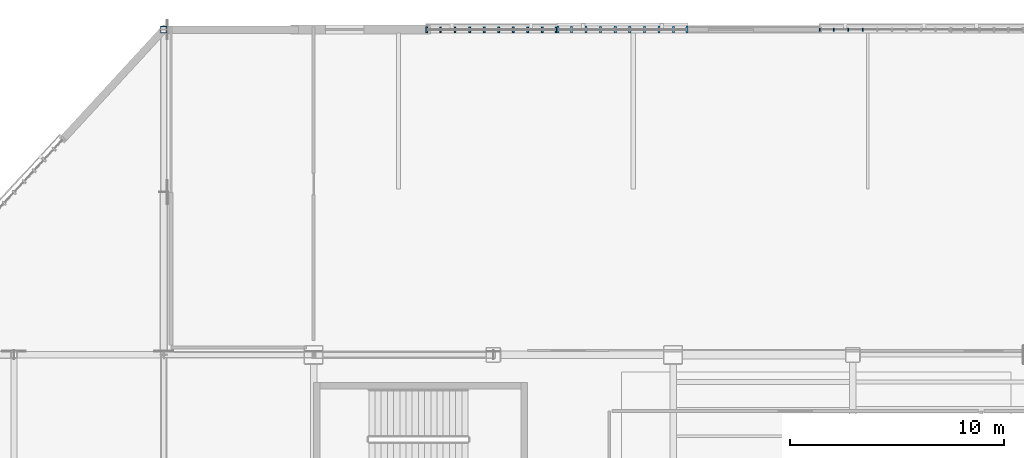
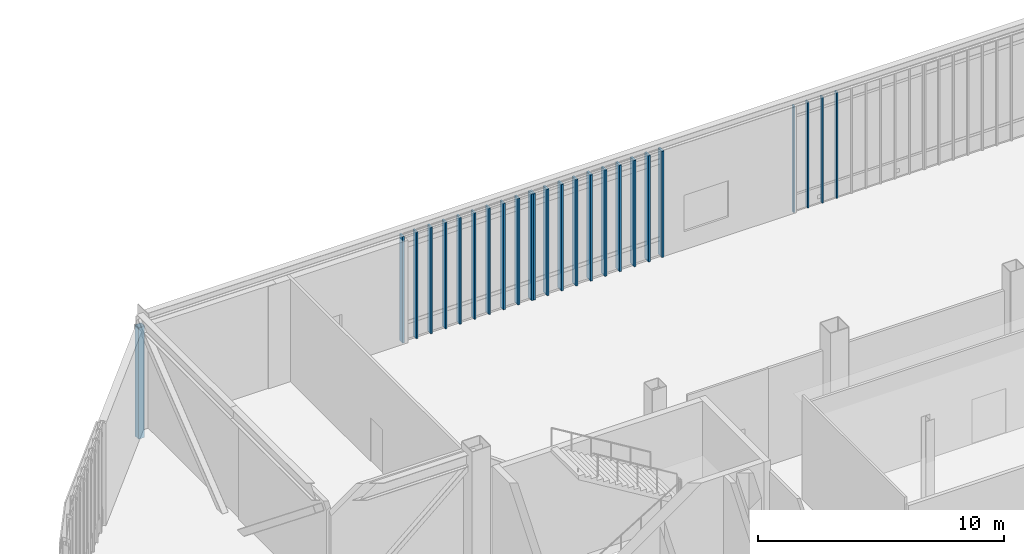
# One storey, part 30 of 135: 25 members, 3 elements without a shape of their own.
"""IFC4 building model written with IfcOpenShell, lengths in metres."""

from ifc_helpers import new_model, si_unit, direction, frame, origin, origin_2d, place, context, subcontext, project, spatial, rectangle, hollow_rectangle, extrude, material, material_profile, profile_set, type_object, element, aggregate, save


model = new_model("IFC4")

# Units and contexts
model_context = context("Model", 3, precision=1e-05, world=origin(), true_north=direction((0.0, 1.0)))
body_context = subcontext(model_context, "Body", "Model", "MODEL_VIEW")
ifc_project = project(units=[si_unit("LENGTHUNIT", "METRE"), si_unit("AREAUNIT", "SQUARE_METRE"), si_unit("VOLUMEUNIT", "CUBIC_METRE"), si_unit("PLANEANGLEUNIT", "RADIAN"), si_unit("MASSUNIT", "GRAM", prefix="KILO")], contexts=[model_context])

# Site, building, storey
site_placement = place(None, origin())
site = spatial("IfcSite", under=ifc_project, at=site_placement, CompositionType="ELEMENT")
building_placement = place(site_placement, origin())
building = spatial("IfcBuilding", under=site, at=building_placement, Name="Larkvane Passage Sports Hall", CompositionType="ELEMENT")
storey_placement = place(building_placement, frame((0.0, 0.0, 10.800048828125)))
storey = spatial("IfcBuildingStorey", under=building, at=storey_placement, Name="L02", CompositionType="ELEMENT", Elevation=10.800048828125)

# Curtain wall, members
ifc_material_1 = material(Name="Thermally broken aluminium and low-E glazing", Category="aluminium")
curtain_wall_type_1 = type_object("IfcCurtainWallType", Name="CW-CLINIC", PredefinedType="USERDEFINED", material=ifc_material_1)
curtain_wall_1_placement = place(storey_placement, origin())
curtain_wall_1 = element("IfcCurtainWall", 1, at=curtain_wall_1_placement, inside=storey, type_object=curtain_wall_type_1, Name="Curtain wall CW5-L02-099", ObjectType="UNITISED CURTAIN WALL", PredefinedType="USERDEFINED")
ifc_material_2 = material(Name="Anodised aluminium 6063-T6", Category="aluminium")
ifc_material_profile_1 = material_profile(ifc_material_2, rectangle(XDim=0.10009765625, YDim=0.320068359375, at=origin_2d()), Name="ALU-MUL-100x320")
ifc_profile_set_1 = profile_set([ifc_material_profile_1], Name="Anodised aluminium 6063-T6")
member_type_1 = type_object("IfcMemberType", Name="CW-MUL-100x320", PredefinedType="MULLION", material=ifc_profile_set_1)
member_1_placement = place(storey_placement, frame((46.22509765625, 106.800048828125, 0.0), z_axis=(0.0, 0.0, 1.0), x_axis=(1.0, 0.0, 0.0)))
member_1 = element("IfcMember", 2, at=member_1_placement, type_object=member_type_1, Name="CW-05 mullion 1", PredefinedType="MULLION", context=body_context, shape_type="SweptSolid", body=[
    extrude(rectangle(XDim=0.10009765625, YDim=0.320068359375, at=origin_2d()), origin(), (0.0, 0.0, 1.0), 5.26806640625),
])
member_2_placement = place(storey_placement, frame((46.85546875, 106.800048828125, 0.0), z_axis=(0.0, 0.0, 1.0), x_axis=(1.0, 0.0, 0.0)))
member_2 = element("IfcMember", 3, at=member_2_placement, type_object=member_type_1, Name="CW-05 mullion 2", PredefinedType="MULLION", context=body_context, shape_type="SweptSolid", body=[
    extrude(rectangle(XDim=0.10009765625, YDim=0.320068359375, at=origin_2d()), origin(), (0.0, 0.0, 1.0), 5.26806640625),
])
member_3_placement = place(storey_placement, frame((47.5361328125, 106.800048828125, 0.0), z_axis=(0.0, 0.0, 1.0), x_axis=(1.0, 0.0, 0.0)))
member_3 = element("IfcMember", 4, at=member_3_placement, type_object=member_type_1, Name="CW-05 mullion 3", PredefinedType="MULLION", context=body_context, shape_type="SweptSolid", body=[
    extrude(rectangle(XDim=0.10009765625, YDim=0.320068359375, at=origin_2d()), origin(), (0.0, 0.0, 1.0), 5.26806640625),
])
member_4_placement = place(storey_placement, frame((48.216552734375, 106.800048828125, 0.0), z_axis=(0.0, 0.0, 1.0), x_axis=(1.0, 0.0, 0.0)))
member_4 = element("IfcMember", 5, at=member_4_placement, type_object=member_type_1, Name="CW-05 mullion 4", PredefinedType="MULLION", context=body_context, shape_type="SweptSolid", body=[
    extrude(rectangle(XDim=0.10009765625, YDim=0.320068359375, at=origin_2d()), origin(), (0.0, 0.0, 1.0), 5.26806640625),
])
member_5_placement = place(storey_placement, frame((48.897216796875, 106.800048828125, 0.0), z_axis=(0.0, 0.0, 1.0), x_axis=(1.0, 0.0, 0.0)))
member_5 = element("IfcMember", 6, at=member_5_placement, type_object=member_type_1, Name="CW-05 mullion 5", PredefinedType="MULLION", context=body_context, shape_type="SweptSolid", body=[
    extrude(rectangle(XDim=0.10009765625, YDim=0.320068359375, at=origin_2d()), origin(), (0.0, 0.0, 1.0), 5.26806640625),
])
member_6_placement = place(storey_placement, frame((49.577880859375, 106.800048828125, 0.0), z_axis=(0.0, 0.0, 1.0), x_axis=(1.0, 0.0, 0.0)))
member_6 = element("IfcMember", 7, at=member_6_placement, type_object=member_type_1, Name="CW-05 mullion 6", PredefinedType="MULLION", context=body_context, shape_type="SweptSolid", body=[
    extrude(rectangle(XDim=0.10009765625, YDim=0.320068359375, at=origin_2d()), origin(), (0.0, 0.0, 1.0), 5.26806640625),
])
member_7_placement = place(storey_placement, frame((50.25830078125, 106.800048828125, 0.0), z_axis=(0.0, 0.0, 1.0), x_axis=(1.0, 0.0, 0.0)))
member_7 = element("IfcMember", 8, at=member_7_placement, type_object=member_type_1, Name="CW-05 mullion 7", PredefinedType="MULLION", context=body_context, shape_type="SweptSolid", body=[
    extrude(rectangle(XDim=0.10009765625, YDim=0.320068359375, at=origin_2d()), origin(), (0.0, 0.0, 1.0), 5.26806640625),
])
member_8_placement = place(storey_placement, frame((50.93896484375, 106.800048828125, 0.0), z_axis=(0.0, 0.0, 1.0), x_axis=(1.0, 0.0, 0.0)))
member_8 = element("IfcMember", 9, at=member_8_placement, type_object=member_type_1, Name="CW-05 mullion 8", PredefinedType="MULLION", context=body_context, shape_type="SweptSolid", body=[
    extrude(rectangle(XDim=0.10009765625, YDim=0.320068359375, at=origin_2d()), origin(), (0.0, 0.0, 1.0), 5.26806640625),
])
member_9_placement = place(storey_placement, frame((51.619384765625, 106.800048828125, 0.0), z_axis=(0.0, 0.0, 1.0), x_axis=(1.0, 0.0, 0.0)))
member_9 = element("IfcMember", 10, at=member_9_placement, type_object=member_type_1, Name="CW-05 mullion 9", PredefinedType="MULLION", context=body_context, shape_type="SweptSolid", body=[
    extrude(rectangle(XDim=0.10009765625, YDim=0.320068359375, at=origin_2d()), origin(), (0.0, 0.0, 1.0), 5.26806640625),
])
member_10_placement = place(storey_placement, frame((52.25, 106.800048828125, 0.0), z_axis=(0.0, 0.0, 1.0), x_axis=(1.0, 0.0, 0.0)))
member_10 = element("IfcMember", 11, at=member_10_placement, type_object=member_type_1, Name="CW-05 mullion 10", PredefinedType="MULLION", context=body_context, shape_type="SweptSolid", body=[
    extrude(rectangle(XDim=0.10009765625, YDim=0.320068359375, at=origin_2d()), origin(), (0.0, 0.0, 1.0), 5.26806640625),
])
aggregate(curtain_wall_1, [member_1, member_2, member_3, member_4, member_5, member_6, member_7, member_8, member_9, member_10])

curtain_wall_type_2 = type_object("IfcCurtainWallType", Name="CW-UNIT-COURT", PredefinedType="USERDEFINED", material=ifc_material_1)
curtain_wall_2_placement = place(storey_placement, origin())
curtain_wall_2 = element("IfcCurtainWall", 12, at=curtain_wall_2_placement, inside=storey, type_object=curtain_wall_type_2, Name="Curtain wall CW5-L02-100", ObjectType="UNITISED CURTAIN WALL", PredefinedType="USERDEFINED")
ifc_material_profile_2 = material_profile(ifc_material_2, rectangle(XDim=0.06005859375, YDim=0.14990234375, at=origin_2d()), Name="ALU-MUL-60x150")
ifc_profile_set_2 = profile_set([ifc_material_profile_2], Name="Anodised aluminium 6063-T6")
member_type_2 = type_object("IfcMemberType", Name="CW-MUL-60x150", PredefinedType="MULLION", material=ifc_profile_set_2)
member_11_placement = place(storey_placement, frame((58.455078125, 106.800048828125, 0.0), z_axis=(0.0, 0.0, 1.0), x_axis=(1.0, 0.0, 0.0)))
member_11 = element("IfcMember", 13, at=member_11_placement, type_object=member_type_2, Name="CW-01 mullion 1", PredefinedType="MULLION", context=body_context, shape_type="SweptSolid", body=[
    extrude(rectangle(XDim=0.06005859375, YDim=0.14990234375, at=origin_2d()), origin(), (0.0, 0.0, 1.0), 5.27783203125),
])
member_12_placement = place(storey_placement, frame((59.10546875, 106.800048828125, 0.0), z_axis=(0.0, 0.0, 1.0), x_axis=(1.0, 0.0, 0.0)))
member_12 = element("IfcMember", 14, at=member_12_placement, type_object=member_type_2, Name="CW-01 mullion 2", PredefinedType="MULLION", context=body_context, shape_type="SweptSolid", body=[
    extrude(rectangle(XDim=0.06005859375, YDim=0.14990234375, at=origin_2d()), origin(), (0.0, 0.0, 1.0), 5.27783203125),
])
member_13_placement = place(storey_placement, frame((59.7861328125, 106.800048828125, 0.0), z_axis=(0.0, 0.0, 1.0), x_axis=(1.0, 0.0, 0.0)))
member_13 = element("IfcMember", 15, at=member_13_placement, type_object=member_type_2, Name="CW-01 mullion 3", PredefinedType="MULLION", context=body_context, shape_type="SweptSolid", body=[
    extrude(rectangle(XDim=0.06005859375, YDim=0.14990234375, at=origin_2d()), origin(), (0.0, 0.0, 1.0), 5.27783203125),
])
member_14_placement = place(storey_placement, frame((60.466552734375, 106.800048828125, 0.0), z_axis=(0.0, 0.0, 1.0), x_axis=(1.0, 0.0, 0.0)))
member_14 = element("IfcMember", 16, at=member_14_placement, type_object=member_type_2, Name="CW-01 mullion 4", PredefinedType="MULLION", context=body_context, shape_type="SweptSolid", body=[
    extrude(rectangle(XDim=0.06005859375, YDim=0.14990234375, at=origin_2d()), origin(), (0.0, 0.0, 1.0), 5.27783203125),
])
aggregate(curtain_wall_2, [member_11, member_12, member_13, member_14])

curtain_wall_type_3 = type_object("IfcCurtainWallType", Name="CW-STICK-FOYER", PredefinedType="USERDEFINED", material=ifc_material_1)
curtain_wall_3_placement = place(storey_placement, origin())
curtain_wall_3 = element("IfcCurtainWall", 17, at=curtain_wall_3_placement, inside=storey, type_object=curtain_wall_type_3, Name="Curtain wall CW5-L02-098", ObjectType="STICK CURTAIN WALL", PredefinedType="USERDEFINED")
ifc_material_profile_3 = material_profile(ifc_material_2, rectangle(XDim=0.090087890625, YDim=0.280029296875, at=origin_2d()), Name="ALU-MUL-90x280")
ifc_profile_set_3 = profile_set([ifc_material_profile_3], Name="Anodised aluminium 6063-T6")
member_type_3 = type_object("IfcMemberType", Name="CW-MUL-90x280", PredefinedType="MULLION", material=ifc_profile_set_3)
member_15_placement = place(storey_placement, frame((40.094970703125, 106.800048828125, 0.0), z_axis=(0.0, 0.0, 1.0), x_axis=(1.0, 0.0, 0.0)))
member_15 = element("IfcMember", 18, at=member_15_placement, type_object=member_type_3, Name="CW-03 mullion 1", PredefinedType="MULLION", context=body_context, shape_type="SweptSolid", body=[
    extrude(rectangle(XDim=0.090087890625, YDim=0.280029296875, at=origin_2d()), origin(), (0.0, 0.0, 1.0), 5.27783203125),
])
member_16_placement = place(storey_placement, frame((40.73046875, 106.800048828125, 0.0), z_axis=(0.0, 0.0, 1.0), x_axis=(1.0, 0.0, 0.0)))
member_16 = element("IfcMember", 19, at=member_16_placement, type_object=member_type_3, Name="CW-03 mullion 2", PredefinedType="MULLION", context=body_context, shape_type="SweptSolid", body=[
    extrude(rectangle(XDim=0.090087890625, YDim=0.280029296875, at=origin_2d()), origin(), (0.0, 0.0, 1.0), 5.27783203125),
])
member_17_placement = place(storey_placement, frame((41.4111328125, 106.800048828125, 0.0), z_axis=(0.0, 0.0, 1.0), x_axis=(1.0, 0.0, 0.0)))
member_17 = element("IfcMember", 20, at=member_17_placement, type_object=member_type_3, Name="CW-03 mullion 3", PredefinedType="MULLION", context=body_context, shape_type="SweptSolid", body=[
    extrude(rectangle(XDim=0.090087890625, YDim=0.280029296875, at=origin_2d()), origin(), (0.0, 0.0, 1.0), 5.27783203125),
])
member_18_placement = place(storey_placement, frame((42.091552734375, 106.800048828125, 0.0), z_axis=(0.0, 0.0, 1.0), x_axis=(1.0, 0.0, 0.0)))
member_18 = element("IfcMember", 21, at=member_18_placement, type_object=member_type_3, Name="CW-03 mullion 4", PredefinedType="MULLION", context=body_context, shape_type="SweptSolid", body=[
    extrude(rectangle(XDim=0.090087890625, YDim=0.280029296875, at=origin_2d()), origin(), (0.0, 0.0, 1.0), 5.27783203125),
])
member_19_placement = place(storey_placement, frame((42.772216796875, 106.800048828125, 0.0), z_axis=(0.0, 0.0, 1.0), x_axis=(1.0, 0.0, 0.0)))
member_19 = element("IfcMember", 22, at=member_19_placement, type_object=member_type_3, Name="CW-03 mullion 5", PredefinedType="MULLION", context=body_context, shape_type="SweptSolid", body=[
    extrude(rectangle(XDim=0.090087890625, YDim=0.280029296875, at=origin_2d()), origin(), (0.0, 0.0, 1.0), 5.27783203125),
])
member_20_placement = place(storey_placement, frame((43.452880859375, 106.800048828125, 0.0), z_axis=(0.0, 0.0, 1.0), x_axis=(1.0, 0.0, 0.0)))
member_20 = element("IfcMember", 23, at=member_20_placement, type_object=member_type_3, Name="CW-03 mullion 6", PredefinedType="MULLION", context=body_context, shape_type="SweptSolid", body=[
    extrude(rectangle(XDim=0.090087890625, YDim=0.280029296875, at=origin_2d()), origin(), (0.0, 0.0, 1.0), 5.27783203125),
])
member_21_placement = place(storey_placement, frame((44.13330078125, 106.800048828125, 0.0), z_axis=(0.0, 0.0, 1.0), x_axis=(1.0, 0.0, 0.0)))
member_21 = element("IfcMember", 24, at=member_21_placement, type_object=member_type_3, Name="CW-03 mullion 7", PredefinedType="MULLION", context=body_context, shape_type="SweptSolid", body=[
    extrude(rectangle(XDim=0.090087890625, YDim=0.280029296875, at=origin_2d()), origin(), (0.0, 0.0, 1.0), 5.27783203125),
])
member_22_placement = place(storey_placement, frame((44.81396484375, 106.800048828125, 0.0), z_axis=(0.0, 0.0, 1.0), x_axis=(1.0, 0.0, 0.0)))
member_22 = element("IfcMember", 25, at=member_22_placement, type_object=member_type_3, Name="CW-03 mullion 8", PredefinedType="MULLION", context=body_context, shape_type="SweptSolid", body=[
    extrude(rectangle(XDim=0.090087890625, YDim=0.280029296875, at=origin_2d()), origin(), (0.0, 0.0, 1.0), 5.27783203125),
])
member_23_placement = place(storey_placement, frame((45.494384765625, 106.800048828125, 0.0), z_axis=(0.0, 0.0, 1.0), x_axis=(1.0, 0.0, 0.0)))
member_23 = element("IfcMember", 26, at=member_23_placement, type_object=member_type_3, Name="CW-03 mullion 9", PredefinedType="MULLION", context=body_context, shape_type="SweptSolid", body=[
    extrude(rectangle(XDim=0.090087890625, YDim=0.280029296875, at=origin_2d()), origin(), (0.0, 0.0, 1.0), 5.27783203125),
])
member_24_placement = place(storey_placement, frame((46.1298828125, 106.800048828125, 0.0), z_axis=(0.0, 0.0, 1.0), x_axis=(1.0, 0.0, 0.0)))
member_24 = element("IfcMember", 27, at=member_24_placement, type_object=member_type_3, Name="CW-03 mullion 10", PredefinedType="MULLION", context=body_context, shape_type="SweptSolid", body=[
    extrude(rectangle(XDim=0.090087890625, YDim=0.280029296875, at=origin_2d()), origin(), (0.0, 0.0, 1.0), 5.27783203125),
])
aggregate(curtain_wall_3, [member_15, member_16, member_17, member_18, member_19, member_20, member_21, member_22, member_23, member_24])

# Member
ifc_material_3 = material(Name="Steel S460N", Category="steel")
ifc_material_profile_4 = material_profile(ifc_material_3, hollow_rectangle(XDim=0.300048828125, YDim=0.300048828125, WallThickness=0.011962890625, InnerFilletRadius=0.011962890625, OuterFilletRadius=0.02392578125, at=origin_2d()), Name="SHS-300x300x12")
ifc_profile_set_4 = profile_set([ifc_material_profile_4], Name="Steel S460N")
member_type_4 = type_object("IfcMemberType", Name="MBR-ST-SHS300", PredefinedType="STRUT", material=ifc_profile_set_4)
member_25_placement = place(storey_placement, frame((27.800048828125, 106.800048828125, -0.420166015625), z_axis=(0.0, 0.0, 1.0), x_axis=(1.0, 0.0, 0.0)))
element("IfcMember", 28, at=member_25_placement, inside=storey, type_object=member_type_4, Name="Cantilever truss CT-N2A-1 vertical post 4", PredefinedType="STRUT", context=body_context, shape_type="SweptSolid", body=[
    extrude(hollow_rectangle(XDim=0.300048828125, YDim=0.300048828125, WallThickness=0.011962890625, InnerFilletRadius=0.011962890625, OuterFilletRadius=0.02392578125, at=origin_2d()), origin(), (0.0, 0.0, 1.0), 5.51220703125),
])

save(model, "model.ifc")
